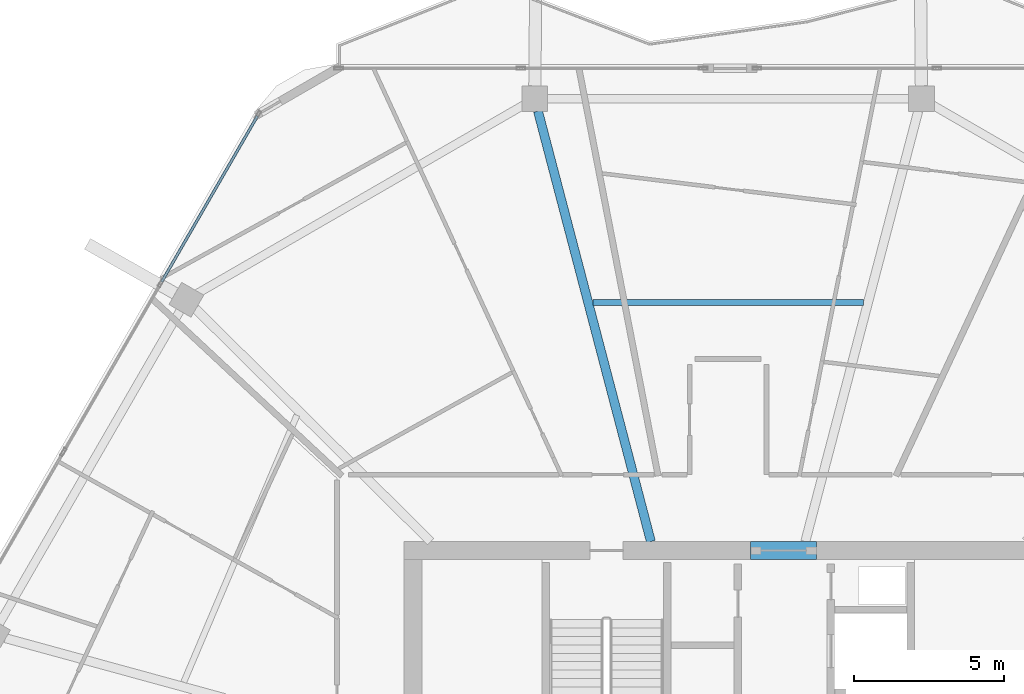
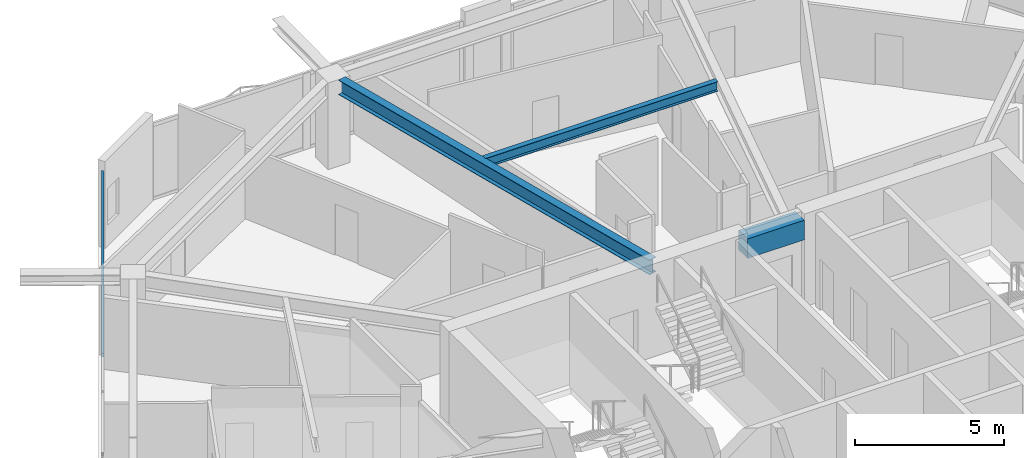
# One storey, part 12 of 27: 3 beams, 2 members, 1 element without a shape of its own.
"""IFC4 building model written with IfcOpenShell, lengths in metres."""

from ifc_helpers import new_model, si_unit, direction, frame, origin, origin_2d, place, context, subcontext, project, spatial, rectangle, hollow_rectangle, i_section, extrude, material, material_profile, profile_set, type_object, element, aggregate, save


model = new_model("IFC4")

# Units and contexts
model_context = context("Model", 3, precision=1e-05, world=origin(), true_north=direction((0.0, 1.0)))
body_context = subcontext(model_context, "Body", "Model", "MODEL_VIEW")
ifc_project = project(units=[si_unit("LENGTHUNIT", "METRE"), si_unit("AREAUNIT", "SQUARE_METRE"), si_unit("VOLUMEUNIT", "CUBIC_METRE"), si_unit("PLANEANGLEUNIT", "RADIAN"), si_unit("MASSUNIT", "GRAM", prefix="KILO")], contexts=[model_context])

# Site, building, storey
site_placement = place(None, origin())
site = spatial("IfcSite", under=ifc_project, at=site_placement, CompositionType="ELEMENT")
building_placement = place(site_placement, origin())
building = spatial("IfcBuilding", under=site, at=building_placement, Name="Zuhravey Tower", CompositionType="ELEMENT")
storey_placement = place(building_placement, frame((0.0, 0.0, 265.39990234375)))
storey = spatial("IfcBuildingStorey", under=building, at=storey_placement, Name="L67", CompositionType="ELEMENT", Elevation=265.39990234375)

# Beam
ifc_material_1 = material(Name="Concrete C50/60", Category="concrete")
ifc_material_profile_1 = material_profile(ifc_material_1, rectangle(XDim=0.60009765625, YDim=0.800048828125, at=origin_2d()), Name="RC-600x800")
ifc_profile_set_1 = profile_set([ifc_material_profile_1], Name="Concrete C50/60")
beam_type_1 = type_object("IfcBeamType", Name="Core Coupling Beam RC600x800", PredefinedType="LINTEL", material=ifc_profile_set_1)
beam_1_placement = place(storey_placement, frame((36.751953125, 41.5, 3.150146484375), z_axis=(1.0, 0.0, 0.0), x_axis=(0.0, 1.0, 0.0)))
element("IfcBeam", 1, at=beam_1_placement, inside=storey, type_object=beam_type_1, Name="L67 CB2 BM-L67-CB-N", PredefinedType="LINTEL", context=body_context, shape_type="SweptSolid", body=[
    extrude(rectangle(XDim=0.60009765625, YDim=0.800048828125, at=origin_2d()), origin(), (0.0, 0.0, 1.0), 2.196044921875),
])

# Curtain wall, members
ifc_material_2 = material(Name="Thermally broken anodised aluminium", Category="aluminium")
curtain_wall_type = type_object("IfcCurtainWallType", Name="Zone 3-4 High-Rise Curtain Wall CW4", PredefinedType="NOTDEFINED", material=ifc_material_2)
curtain_wall_placement = place(storey_placement, origin())
curtain_wall = element("IfcCurtainWall", 2, at=curtain_wall_placement, inside=storey, type_object=curtain_wall_type, Name="L67 CW4 CW-L67-F3-1", PredefinedType="NOTDEFINED")
ifc_material_3 = material(Name="Anodised aluminium", Category="aluminium")
ifc_material_profile_2 = material_profile(ifc_material_3, hollow_rectangle(XDim=0.090087890625, YDim=0.14990234375, WallThickness=0.0048828125, at=origin_2d()), Name="ALU-RHS-90x150x5")
ifc_profile_set_2 = profile_set([ifc_material_profile_2], Name="Anodised aluminium")
member_type = type_object("IfcMemberType", Name="Curtain-Wall Transom 90x150", PredefinedType="USERDEFINED", material=ifc_profile_set_2)
member_1_placement = place(storey_placement, frame((17.136962890625, 50.455322265625, 0.045166015625), z_axis=(0.499980071345, 0.866036909293, 0.0), x_axis=(-0.866036909293, 0.499980071345, 0.0)))
member_1 = element("IfcMember", 3, at=member_1_placement, type_object=member_type, Name="CW4 transom 4.1", ObjectType="TRANSOM", PredefinedType="USERDEFINED", context=body_context, shape_type="SweptSolid", body=[
    extrude(hollow_rectangle(XDim=0.090087890625, YDim=0.14990234375, WallThickness=0.0048828125, at=origin_2d()), origin(), (0.0, 0.0, 1.0), 6.371337890625),
])
member_2_placement = place(storey_placement, frame((17.136962890625, 50.455322265625, 3.0771484375), z_axis=(0.499980071345, 0.866036909293, 0.0), x_axis=(-0.866036909293, 0.499980071345, 0.0)))
member_2 = element("IfcMember", 4, at=member_2_placement, type_object=member_type, Name="CW4 transom 4.2", ObjectType="TRANSOM", PredefinedType="USERDEFINED", context=body_context, shape_type="SweptSolid", body=[
    extrude(hollow_rectangle(XDim=0.090087890625, YDim=0.14990234375, WallThickness=0.0048828125, at=origin_2d()), origin(), (0.0, 0.0, 1.0), 6.371337890625),
])
aggregate(curtain_wall, [member_1, member_2])

# Beams
ifc_material_4 = material(Name="Steel SM355", Category="steel")
ifc_material_profile_3 = material_profile(ifc_material_4, i_section(OverallWidth=0.300048828125, OverallDepth=0.60009765625, WebThickness=0.011962890625, FlangeThickness=0.02001953125, at=origin_2d()), Name="H-600x300x12x20")
ifc_profile_set_3 = profile_set([ifc_material_profile_3], Name="Steel SM355")
beam_type_2 = type_object("IfcBeamType", Name="Radial Primary Girder H600x300", PredefinedType="BEAM", material=ifc_profile_set_3)
beam_2_placement = place(storey_placement, frame((33.428466796875, 41.802978515625, 3.25), z_axis=(-0.25373188956, 0.967274587809, 0.0), x_axis=(-0.967274587809, -0.25373188956, 0.0)))
element("IfcBeam", 5, at=beam_2_placement, inside=storey, type_object=beam_type_2, Name="L67 RG3 BM-L67-RAD-04", PredefinedType="BEAM", context=body_context, shape_type="SweptSolid", body=[
    extrude(i_section(OverallWidth=0.300048828125, OverallDepth=0.60009765625, WebThickness=0.011962890625, FlangeThickness=0.02001953125, at=origin_2d()), origin(), (0.0, 0.0, 1.0), 14.82177734375),
])
ifc_material_profile_4 = material_profile(ifc_material_4, i_section(OverallWidth=0.199951171875, OverallDepth=0.39990234375, WebThickness=0.008056640625, FlangeThickness=0.012939453125, at=origin_2d()), Name="H-400x200x8x13")
ifc_profile_set_4 = profile_set([ifc_material_profile_4], Name="Steel SM355")
beam_type_3 = type_object("IfcBeamType", Name="Secondary Floor Joist H400x200", PredefinedType="JOIST", material=ifc_profile_set_4)
beam_3_placement = place(storey_placement, frame((40.507080078125, 49.768310546875, 3.35009765625), z_axis=(-1.0, 0.0, 0.0), x_axis=(0.0, -1.0, 0.0)))
element("IfcBeam", 6, at=beam_3_placement, inside=storey, type_object=beam_type_3, Name="L67 SJ2 BM-L67-SJ-03-1", PredefinedType="JOIST", context=body_context, shape_type="SweptSolid", body=[
    extrude(i_section(OverallWidth=0.199951171875, OverallDepth=0.39990234375, WebThickness=0.008056640625, FlangeThickness=0.012939453125, at=origin_2d()), origin(), (0.0, 0.0, 1.0), 9.01416015625),
])

save(model, "model.ifc")
